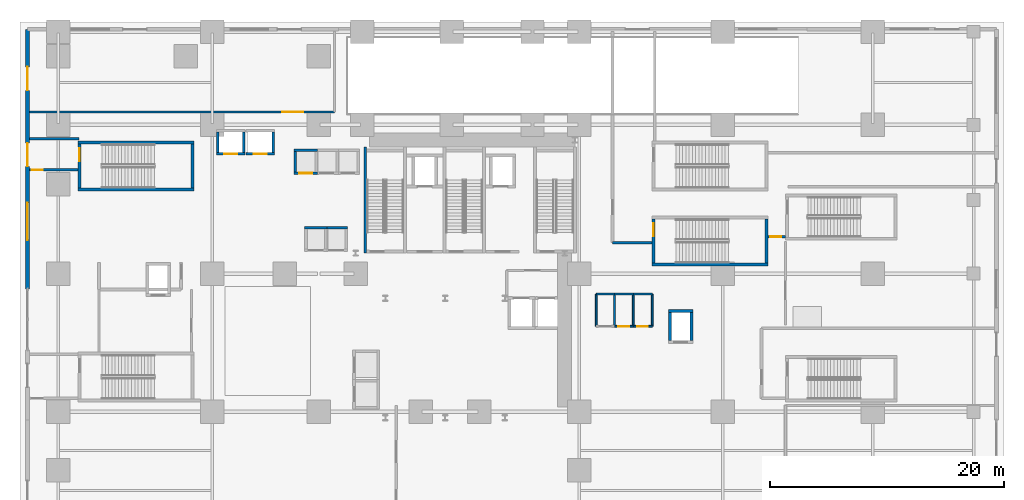
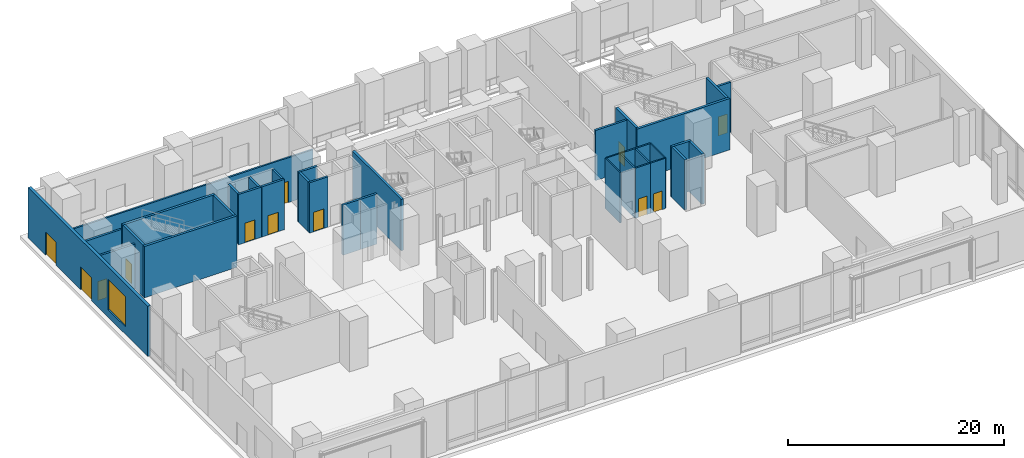
# One storey, part 15 of 25: 36 walls, 12 doors, 1 window, 13 openings.
"""IFC4 building model written with IfcOpenShell, lengths in metres."""

import ifcopenshell
import ifcopenshell.guid

model = None  # the IFC model being written
_history = None  # IfcOwnerHistory: only IFC2X3 demands one
_inside = {}  # id of a spatial element -> (the spatial element, [elements in it])
_under = {}  # id of a project, library or spatial element -> (it, [spatial elements below it])
_declared = {}  # id of a project -> (the project, [libraries it declares])
_typed = {}  # id of a type object -> (the type object, [elements of that type])
_made_of = {}  # id of a material, layer set ... -> (it, [elements and type objects made of it])


def new_model(schema):
    """Start an empty IFC model of exactly this schema.

    Asked for "IFC4X3", IfcOpenShell would pick the latest addendum, in which some entities
    have other attributes; the version numbers below select the first issue.
    IFC2X3 requires an IfcOwnerHistory on every rooted entity: one is made here for all.
    """
    global model, _history
    if schema == "IFC4X3":
        model = ifcopenshell.file(schema_version=(4, 3, 0, 0))
    else:
        model = ifcopenshell.file(schema=schema)
    _inside.clear()
    _under.clear()
    _declared.clear()
    _typed.clear()
    _made_of.clear()
    _history = None
    if model.schema == "IFC2X3":
        org = make("IfcOrganization", Name="unknown")
        user = make(
            "IfcPersonAndOrganization",
            ThePerson=make("IfcPerson", FamilyName="unknown"),
            TheOrganization=org,
        )
        app = make(
            "IfcApplication",
            ApplicationDeveloper=org,
            Version="unknown",
            ApplicationFullName="unknown",
            ApplicationIdentifier="unknown",
        )
        _history = make(
            "IfcOwnerHistory",
            OwningUser=user,
            OwningApplication=app,
            ChangeAction="ADDED",
            CreationDate=0,
        )
    return model


def make(cls, **values):
    """One entity of the class cls with the attributes given. An attribute that is None is left unset."""
    return model.create_entity(
        cls, **{name: value for name, value in values.items() if value is not None}
    )


def rooted(cls, **values):
    """An entity with a GlobalId (a new one), such as an element, a storey or a relation."""
    return make(cls, GlobalId=ifcopenshell.guid.new(), OwnerHistory=_history, **values)


def si_unit(unit_type, name, prefix=None):
    """IfcSIUnit, for example si_unit("LENGTHUNIT", "METRE", prefix="MILLI")."""
    return make("IfcSIUnit", UnitType=unit_type, Prefix=prefix, Name=name)


def assignment(units):
    """IfcUnitAssignment: the units of a project."""
    return None if units is None else make("IfcUnitAssignment", Units=units)


def point(xyz):
    """IfcCartesianPoint."""
    return None if xyz is None else make("IfcCartesianPoint", Coordinates=xyz)


def direction(xyz):
    """IfcDirection."""
    return None if xyz is None else make("IfcDirection", DirectionRatios=xyz)


def frame(location, z_axis=None, x_axis=None):
    """IfcAxis2Placement3D, a coordinate frame: its origin and axes. An axis left out is left unset."""
    return make(
        "IfcAxis2Placement3D",
        Location=point(location),
        Axis=direction(z_axis),
        RefDirection=direction(x_axis),
    )


def frame_2d(location, x_axis=None):
    """IfcAxis2Placement2D, a coordinate frame in the plane: its origin and x axis."""
    return make(
        "IfcAxis2Placement2D", Location=point(location), RefDirection=direction(x_axis)
    )


def origin():
    """The frame at (0, 0, 0) with its axes left unset."""
    return frame((0.0, 0.0, 0.0))


def place(relative_to, where):
    """IfcLocalPlacement: puts the frame where relative to a parent placement (None: the world)."""
    return make(
        "IfcLocalPlacement", PlacementRelTo=relative_to, RelativePlacement=where
    )


def context(
    kind, dimensions, precision=None, world=None, true_north=None, identifier=None
):
    """IfcGeometricRepresentationContext, for example the 3D "Model" context."""
    return make(
        "IfcGeometricRepresentationContext",
        ContextIdentifier=identifier,
        ContextType=kind,
        CoordinateSpaceDimension=dimensions,
        Precision=precision,
        WorldCoordinateSystem=world,
        TrueNorth=true_north,
    )


def subcontext(parent, identifier, kind, view, scale=None):
    """IfcGeometricRepresentationSubContext, for example "Body" below "Model"."""
    return make(
        "IfcGeometricRepresentationSubContext",
        ContextIdentifier=identifier,
        ContextType=kind,
        ParentContext=parent,
        TargetScale=scale,
        TargetView=view,
    )


def project(units=None, contexts=None):
    """IfcProject with its units and contexts."""
    return rooted(
        "IfcProject",
        Name="project",
        RepresentationContexts=contexts,
        UnitsInContext=assignment(units),
    )


def spatial(cls, under=None, at=None, **own):
    """A site, building, storey or space (cls), placed at a placement, below another one or the project."""
    s = rooted(cls, ObjectPlacement=at, **own)
    if under is not None:
        _under.setdefault(under.id(), (under, []))[1].append(s)
    return s


def profile(cls, at=None, kind="AREA", **sizes):
    """A parametric profile (cls). Its sizes go by their IFC names, for example OverallWidth=200.0."""
    return make(cls, ProfileType=kind, Position=at, **sizes)


def rectangle(**sizes):
    """IfcRectangleProfileDef."""
    return profile("IfcRectangleProfileDef", **sizes)


def extrude(swept, where, along, depth):
    """IfcExtrudedAreaSolid: the profile swept, set in the frame where, extruded along a direction by depth."""
    return make(
        "IfcExtrudedAreaSolid",
        SweptArea=swept,
        Position=where,
        ExtrudedDirection=direction(along),
        Depth=depth,
    )


def shape(context_of_items, identifier, shape_type, items):
    """IfcShapeRepresentation: the items that make up one representation, for example the "Body"."""
    return make(
        "IfcShapeRepresentation",
        ContextOfItems=context_of_items,
        RepresentationIdentifier=identifier,
        RepresentationType=shape_type,
        Items=items,
    )


def source(mapping_origin, context_of_items, identifier, shape_type, items):
    """IfcRepresentationMap: a shape defined once, which mapped items show again and again."""
    return make(
        "IfcRepresentationMap",
        MappingOrigin=mapping_origin,
        MappedRepresentation=shape(context_of_items, identifier, shape_type, items),
    )


def transform(
    local_origin,
    x_axis=None,
    y_axis=None,
    z_axis=None,
    scale=None,
    scale2=None,
    scale3=None,
    uniform=True,
):
    """IfcCartesianTransformationOperator3D, or its non-uniform kind. x_axis, y_axis, z_axis: its Axis1, 2, 3."""
    if uniform:
        return make(
            "IfcCartesianTransformationOperator3D",
            Axis1=direction(x_axis),
            Axis2=direction(y_axis),
            LocalOrigin=point(local_origin),
            Scale=scale,
            Axis3=direction(z_axis),
        )
    return make(
        "IfcCartesianTransformationOperator3DnonUniform",
        Axis1=direction(x_axis),
        Axis2=direction(y_axis),
        LocalOrigin=point(local_origin),
        Scale=scale,
        Axis3=direction(z_axis),
        Scale2=scale2,
        Scale3=scale3,
    )


def mapped(mapping_source, mapping_target):
    """IfcMappedItem: shows the shape of a source again, moved by a transform."""
    return make(
        "IfcMappedItem", MappingSource=mapping_source, MappingTarget=mapping_target
    )


def material(Name=None, Category=None):
    """IfcMaterial."""
    return make("IfcMaterial", Name=Name, Category=Category)


def layer(
    of_material, thickness, ventilated=None, Name=None, Category=None, Priority=None
):
    """IfcMaterialLayer: one layer of a wall or slab, of a material (None: an air gap)."""
    return make(
        "IfcMaterialLayer",
        Material=of_material,
        LayerThickness=thickness,
        IsVentilated=ventilated,
        Name=Name,
        Category=Category,
        Priority=Priority,
    )


def layer_set(layers, Name=None):
    """IfcMaterialLayerSet."""
    return make("IfcMaterialLayerSet", MaterialLayers=layers, LayerSetName=Name)


def made_of(thing, what):
    """Note that an element or type object is made of a material, layer set ...; save() writes the relation."""
    if what is not None:
        _made_of.setdefault(what.id(), (what, []))[1].append(thing)
    return thing


def type_object(cls, material=None, **own):
    """A type object (cls), such as IfcWallType, which elements share."""
    return made_of(rooted(cls, **own), material)


def element(
    cls,
    number,
    at=None,
    inside=None,
    cuts=None,
    type_object=None,
    material=None,
    context=None,
    identifier="Body",
    shape_type=None,
    held_by="IfcProductDefinitionShape",
    body=None,
    shapes=None,
    **own,
):
    """One element of the class cls, such as IfcWall. Its Tag is "e" and its number.

    at: its placement. inside: the storey or other place that contains it. cuts: it is an
    opening in that element (IfcRelVoidsElement). A single representation is given by context,
    identifier, shape_type and body (its items); several are given by shapes. held_by: the class
    of the entity that holds the representations. save() writes the other relations.
    """
    e = rooted(cls, Tag="e%d" % number, ObjectPlacement=at, **own)
    if body is not None:
        shapes = [shape(context, identifier, shape_type, body)]
    if shapes is not None:
        e.Representation = make(held_by, Representations=shapes)
    if inside is not None:
        _inside.setdefault(inside.id(), (inside, []))[1].append(e)
    if cuts is not None:
        rooted(
            "IfcRelVoidsElement", RelatingBuildingElement=cuts, RelatedOpeningElement=e
        )
    if type_object is not None:
        _typed.setdefault(type_object.id(), (type_object, []))[1].append(e)
    return made_of(e, material)


def fill(opening, filler):
    """IfcRelFillsElement: the door or window that sits in an opening."""
    return rooted(
        "IfcRelFillsElement",
        RelatingOpeningElement=opening,
        RelatedBuildingElement=filler,
    )


def aggregate(whole, parts):
    """IfcRelAggregates: a whole, such as a stair, and the parts it consists of."""
    return rooted("IfcRelAggregates", RelatingObject=whole, RelatedObjects=parts)


def save(model, path):
    """Write the relations noted so far, then the file.

    IfcRelAggregates (storeys below a building ...), IfcRelContainedInSpatialStructure (elements
    in a storey), IfcRelDefinesByType, IfcRelAssociatesMaterial and IfcRelDeclares: one each for
    every whole, place, type object, material and project.
    """
    for whole, parts in _under.values():
        aggregate(whole, parts)
    for where, things in _inside.values():
        rooted(
            "IfcRelContainedInSpatialStructure",
            RelatedElements=things,
            RelatingStructure=where,
        )
    for kind, things in _typed.values():
        rooted("IfcRelDefinesByType", RelatedObjects=things, RelatingType=kind)
    for what, things in _made_of.values():
        rooted("IfcRelAssociatesMaterial", RelatedObjects=things, RelatingMaterial=what)
    for by, libraries in _declared.values():
        rooted("IfcRelDeclares", RelatingContext=by, RelatedDefinitions=libraries)
    model.write(path)


model = new_model("IFC4")

# Units and contexts
model_context = context("Model", 3, precision=1e-05, world=origin(), true_north=direction((0.0, 1.0)))
body_context = subcontext(model_context, "Body", "Model", "MODEL_VIEW")
ifc_project = project(units=[si_unit("LENGTHUNIT", "METRE"), si_unit("AREAUNIT", "SQUARE_METRE"), si_unit("VOLUMEUNIT", "CUBIC_METRE"), si_unit("PLANEANGLEUNIT", "RADIAN"), si_unit("MASSUNIT", "GRAM", prefix="KILO")], contexts=[model_context])

# Site, building, storey
site_placement = place(None, origin())
site = spatial("IfcSite", under=ifc_project, at=site_placement, CompositionType="ELEMENT")
building_placement = place(site_placement, origin())
building = spatial("IfcBuilding", under=site, at=building_placement, Name="Vardaveli Station Tower", CompositionType="ELEMENT")
storey_placement = place(building_placement, origin())
storey = spatial("IfcBuildingStorey", under=building, at=storey_placement, Name="L01", CompositionType="ELEMENT", Elevation=0.0)

# Wall, openings, doors, window
ifc_material_1 = material(Name="Precast concrete C45/55", Category="concrete")
ifc_layer_1 = layer(ifc_material_1, 0.320068359375, Name="Precast concrete C45/55")
ifc_layer_set_1 = layer_set([ifc_layer_1], Name="Precast concrete C45/55")
wall_type_1 = type_object("IfcWallType", Name="WAL-EXT-STONE-320", PredefinedType="SOLIDWALL", material=ifc_layer_set_1)
shared_shape_1 = source(origin(), body_context, "Body", "SweptSolid", [
    extrude(rectangle(XDim=22.14990234375, YDim=0.320068359375, at=frame_2d((11.074951171875, 0.0))), origin(), (0.0, 0.0, 1.0), 5.679931640625),
])
wall_1_placement = place(storey_placement, frame((0.64990234375, 49.75, 0.0), z_axis=(0.0, 0.0, 1.0), x_axis=(0.0, -1.0, 0.0)))
wall_1 = element("IfcWall", 1, at=wall_1_placement, inside=storey, type_object=wall_type_1, Name="EW-L01-W4", PredefinedType="SOLIDWALL", context=body_context, shape_type="MappedRepresentation", body=[
    mapped(shared_shape_1, transform((0.0, 0.0, 0.0), scale=1.0)),
])
shared_shape_2 = source(origin(), body_context, "Body", "SweptSolid", [
    extrude(rectangle(XDim=2.0, YDim=2.60009765625, at=frame_2d((1.0, 1.300048828125))), frame((0.0, 0.169921875, 0.0), z_axis=(0.0, -1.0, 0.0), x_axis=(1.0, 0.0, 0.0)), (0.0, 0.0, 1.0), 0.340087890625),
])
opening_1_placement = place(wall_1_placement, frame((3.199951171875, 0.0, 0.0)))
opening_1 = element("IfcOpeningElement", 2, at=opening_1_placement, cuts=wall_1, Name="Opening EX-08", PredefinedType="OPENING", context=body_context, shape_type="MappedRepresentation", body=[
    mapped(shared_shape_2, transform((0.0, 0.0, 0.0), scale=1.0)),
])
opening_2_placement = place(wall_1_placement, frame((9.699951171875, 0.0, 0.0)))
opening_2 = element("IfcOpeningElement", 3, at=opening_2_placement, cuts=wall_1, Name="Opening EX-12", PredefinedType="OPENING", context=body_context, shape_type="MappedRepresentation", body=[
    mapped(shared_shape_2, transform((0.0, 0.0, 0.0), scale=1.0)),
])
shared_shape_3 = source(origin(), body_context, "Body", "SweptSolid", [
    extrude(rectangle(XDim=3.199951171875, YDim=3.39990234375, at=frame_2d((1.60009765625, 1.699951171875))), frame((0.0, 0.169921875, 0.0), z_axis=(0.0, -1.0, 0.0), x_axis=(1.0, 0.0, 0.0)), (0.0, 0.0, 1.0), 0.340087890625),
])
opening_3_placement = place(wall_1_placement, frame((14.800048828125, 0.0, 0.85009765625)))
opening_3 = element("IfcOpeningElement", 4, at=opening_3_placement, cuts=wall_1, Name="Opening W-01", PredefinedType="OPENING", context=body_context, shape_type="MappedRepresentation", body=[
    mapped(shared_shape_3, transform((0.0, 0.0, 0.0), scale=1.0)),
])
ifc_material_2 = material(Name="Brushed stainless steel and glass", Category="steel")
door_type_1 = type_object("IfcDoorType", Name="DR-EX-2000x2600", OperationType="DOUBLE_DOOR_SINGLE_SWING", PredefinedType="DOOR", material=ifc_material_2)
shared_shape_4 = source(origin(), body_context, "Body", "SweptSolid", [
    extrude(rectangle(XDim=2.0, YDim=2.60009765625, at=frame_2d((1.0, 1.300048828125))), frame((0.0, 0.02490234375, 0.0), z_axis=(0.0, -1.0, 0.0), x_axis=(1.0, 0.0, 0.0)), (0.0, 0.0, 1.0), 0.050048828125),
])
door_1_placement = place(opening_1_placement, frame((2.0, 0.0, 0.0), z_axis=(0.0, 0.0, 1.0), x_axis=(-1.0, 0.0, 0.0)))
door_1 = element("IfcDoor", 5, at=door_1_placement, inside=storey, type_object=door_type_1, Name="EX-08", OperationType="DOUBLE_DOOR_SINGLE_SWING", OverallHeight=2.60009765625, OverallWidth=2.0, PredefinedType="DOOR", context=body_context, shape_type="MappedRepresentation", body=[
    mapped(shared_shape_4, transform((0.0, 0.0, 0.0), scale=1.0)),
])
fill(opening_1, door_1)
door_2_placement = place(opening_2_placement, frame((2.0, 0.0, 0.0), z_axis=(0.0, 0.0, 1.0), x_axis=(-1.0, 0.0, 0.0)))
door_2 = element("IfcDoor", 6, at=door_2_placement, inside=storey, type_object=door_type_1, Name="EX-12", OperationType="DOUBLE_DOOR_SINGLE_SWING", OverallHeight=2.60009765625, OverallWidth=2.0, PredefinedType="DOOR", context=body_context, shape_type="MappedRepresentation", body=[
    mapped(shared_shape_4, transform((0.0, 0.0, 0.0), scale=1.0)),
])
fill(opening_2, door_2)
ifc_material_3 = material(Name="Low-E acoustic laminated glass", Category="glass")
window_type = type_object("IfcWindowType", Name="WIN-CONC-3200x3400", PartitioningType="SINGLE_PANEL", PredefinedType="WINDOW", material=ifc_material_3)
shared_shape_5 = source(origin(), body_context, "Body", "SweptSolid", [
    extrude(rectangle(XDim=3.199951171875, YDim=3.39990234375, at=frame_2d((1.60009765625, 1.699951171875))), frame((0.0, 0.030029296875, 0.0), z_axis=(0.0, -1.0, 0.0), x_axis=(1.0, 0.0, 0.0)), (0.0, 0.0, 1.0), 0.06005859375),
])
window_placement = place(opening_3_placement, origin())
window = element("IfcWindow", 7, at=window_placement, inside=storey, type_object=window_type, Name="WN-L01-W4", OverallHeight=3.39990234375, OverallWidth=3.199951171875, PartitioningType="SINGLE_PANEL", PredefinedType="WINDOW", context=body_context, shape_type="MappedRepresentation", body=[
    mapped(shared_shape_5, transform((0.0, 0.0, 0.0), scale=1.0)),
])
fill(opening_3, window)

# Walls
ifc_material_4 = material(Name="Concrete C40/50", Category="concrete")
ifc_layer_2 = layer(ifc_material_4, 0.25, Name="Concrete C40/50")
ifc_layer_set_2 = layer_set([ifc_layer_2], Name="Concrete C40/50")
wall_type_2 = type_object("IfcWallType", Name="WAL-SHAFT-250", PredefinedType="SOLIDWALL", material=ifc_layer_set_2)
shared_shape_6 = source(origin(), body_context, "Body", "SweptSolid", [
    extrude(rectangle(XDim=9.050048828125, YDim=0.25, at=frame_2d((4.52490234375, 0.0))), origin(), (0.0, 0.0, 1.0), 5.800048828125),
])
wall_2_placement = place(storey_placement, frame((29.47509765625, 30.64990234375, 0.0), z_axis=(0.0, 0.0, 1.0), x_axis=(0.0, 1.0, 0.0)))
element("IfcWall", 8, at=wall_2_placement, inside=storey, type_object=wall_type_2, Name="W-L01-ST-1W", PredefinedType="SOLIDWALL", context=body_context, shape_type="MappedRepresentation", body=[
    mapped(shared_shape_6, transform((0.0, 0.0, 0.0), scale=1.0)),
])
shared_shape_7 = source(origin(), body_context, "Body", "SweptSolid", [
    extrude(rectangle(XDim=9.900146484375, YDim=0.25, at=frame_2d((4.9501953125, 0.0))), origin(), (0.0, 0.0, 1.0), 5.800048828125),
])
for number, where, z_axis, x_axis, name in (
    (9, (53.949951171875, 29.675048828125, 0.0), (0.0, 0.0, 1.0), (1.0, 0.0, 0.0), "W-L01-ST-S2S"),
    (10, (4.949951171875, 36.074951171875, 0.0), (0.0, 0.0, 1.0), (1.0, 0.0, 0.0), "W-L01-ST-P1S"),
    (11, (4.949951171875, 40.074951171875, 0.0), (0.0, 0.0, 1.0), (1.0, 0.0, 0.0), "W-L01-ST-P1N"),
):
    element("IfcWall", number, at=place(storey_placement, frame(where, z_axis=z_axis, x_axis=x_axis)), inside=storey, type_object=wall_type_2, Name=name, PredefinedType="SOLIDWALL", context=body_context, shape_type="MappedRepresentation", body=[
        mapped(shared_shape_7, transform((0.0, 0.0, 0.0), scale=1.0)),
    ])
shared_shape_8 = source(origin(), body_context, "Body", "SweptSolid", [
    extrude(rectangle(XDim=3.75, YDim=0.25, at=frame_2d((1.875, 0.0))), origin(), (0.0, 0.0, 1.0), 5.800048828125),
])
wall_3_placement = place(storey_placement, frame((63.72509765625, 29.800048828125, 0.0), z_axis=(0.0, 0.0, 1.0), x_axis=(0.0, 1.0, 0.0)))
element("IfcWall", 12, at=wall_3_placement, inside=storey, type_object=wall_type_2, Name="W-L01-ST-S2E", PredefinedType="SOLIDWALL", context=body_context, shape_type="MappedRepresentation", body=[
    mapped(shared_shape_8, transform((0.0, 0.0, 0.0), scale=1.0)),
])

# Wall, opening, door
wall_4_placement = place(storey_placement, frame((54.074951171875, 29.800048828125, 0.0), z_axis=(0.0, 0.0, 1.0), x_axis=(0.0, 1.0, 0.0)))
wall_4 = element("IfcWall", 13, at=wall_4_placement, inside=storey, type_object=wall_type_2, Name="W-L01-ST-S2W", PredefinedType="SOLIDWALL", context=body_context, shape_type="MappedRepresentation", body=[
    mapped(shared_shape_8, transform((0.0, 0.0, 0.0), scale=1.0)),
])
shared_shape_9 = source(origin(), body_context, "Body", "SweptSolid", [
    extrude(rectangle(XDim=1.10009765625, YDim=2.199951171875, at=frame_2d((0.550048828125, 1.10009765625))), frame((0.0, 0.135009765625, 0.0), z_axis=(0.0, -1.0, 0.0), x_axis=(1.0, 0.0, 0.0)), (0.0, 0.0, 1.0), 0.27001953125),
])
opening_4_placement = place(wall_4_placement, frame((2.300048828125, 0.0, 0.0)))
opening_4 = element("IfcOpeningElement", 14, at=opening_4_placement, cuts=wall_4, Name="Opening D-04", PredefinedType="OPENING", context=body_context, shape_type="MappedRepresentation", body=[
    mapped(shared_shape_9, transform((0.0, 0.0, 0.0), scale=1.0)),
])
ifc_material_5 = material(Name="Steel smokeproof fire doorset", Category="steel")
door_type_2 = type_object("IfcDoorType", Name="DR-ST-1100x2200", OperationType="NOTDEFINED", PredefinedType="DOOR", material=ifc_material_5)
shared_shape_10 = source(origin(), body_context, "Body", "SweptSolid", [
    extrude(rectangle(XDim=1.10009765625, YDim=2.199951171875, at=frame_2d((0.550048828125, 1.10009765625))), frame((0.0, 0.02490234375, 0.0), z_axis=(0.0, -1.0, 0.0), x_axis=(1.0, 0.0, 0.0)), (0.0, 0.0, 1.0), 0.050048828125),
])
door_3_placement = place(opening_4_placement, origin())
door_3 = element("IfcDoor", 15, at=door_3_placement, inside=storey, type_object=door_type_2, Name="DST-S2-L01", OperationType="SINGLE_SWING_RIGHT", OverallHeight=2.199951171875, OverallWidth=1.10009765625, PredefinedType="DOOR", context=body_context, shape_type="MappedRepresentation", body=[
    mapped(shared_shape_10, transform((0.0, 0.0, 0.0), scale=1.0)),
])
fill(opening_4, door_3)

# Wall
wall_5_placement = place(storey_placement, frame((14.72509765625, 36.199951171875, 0.0), z_axis=(0.0, 0.0, 1.0), x_axis=(0.0, 1.0, 0.0)))
element("IfcWall", 16, at=wall_5_placement, inside=storey, type_object=wall_type_2, Name="W-L01-ST-P1E", PredefinedType="SOLIDWALL", context=body_context, shape_type="MappedRepresentation", body=[
    mapped(shared_shape_8, transform((0.0, 0.0, 0.0), scale=1.0)),
])

# Wall, opening, door
wall_6_placement = place(storey_placement, frame((5.074951171875, 36.199951171875, 0.0), z_axis=(0.0, 0.0, 1.0), x_axis=(0.0, 1.0, 0.0)))
wall_6 = element("IfcWall", 17, at=wall_6_placement, inside=storey, type_object=wall_type_2, Name="W-L01-ST-P1W", PredefinedType="SOLIDWALL", context=body_context, shape_type="MappedRepresentation", body=[
    mapped(shared_shape_8, transform((0.0, 0.0, 0.0), scale=1.0)),
])
opening_5_placement = place(wall_6_placement, frame((2.300048828125, 0.0, 0.0)))
opening_5 = element("IfcOpeningElement", 18, at=opening_5_placement, cuts=wall_6, Name="Opening D-04", PredefinedType="OPENING", context=body_context, shape_type="MappedRepresentation", body=[
    mapped(shared_shape_9, transform((0.0, 0.0, 0.0), scale=1.0)),
])
door_4_placement = place(opening_5_placement, origin())
door_4 = element("IfcDoor", 19, at=door_4_placement, inside=storey, type_object=door_type_2, Name="DST-P1-L01", OperationType="SINGLE_SWING_RIGHT", OverallHeight=2.199951171875, OverallWidth=1.10009765625, PredefinedType="DOOR", context=body_context, shape_type="MappedRepresentation", body=[
    mapped(shared_shape_10, transform((0.0, 0.0, 0.0), scale=1.0)),
])
fill(opening_5, door_4)

# Walls
shared_shape_11 = source(origin(), body_context, "Body", "SweptSolid", [
    extrude(rectangle(XDim=2.400146484375, YDim=0.25, at=frame_2d((1.2001953125, 0.0))), origin(), (0.0, 0.0, 1.0), 5.679931640625),
])
for number, where, z_axis, x_axis, name in (
    (20, (55.47509765625, 23.199951171875, 0.0), (0.0, 0.0, 1.0), (0.0, 1.0, 0.0), "SHW-STN-02-L01-W"),
    (21, (57.324951171875, 23.199951171875, 0.0), (0.0, 0.0, 1.0), (0.0, 1.0, 0.0), "SHW-STN-02-L01-E"),
):
    element("IfcWall", number, at=place(storey_placement, frame(where, z_axis=z_axis, x_axis=x_axis)), inside=storey, type_object=wall_type_2, Name=name, PredefinedType="SOLIDWALL", context=body_context, shape_type="MappedRepresentation", body=[
        mapped(shared_shape_11, transform((0.0, 0.0, 0.0), scale=1.0)),
    ])
shared_shape_12 = source(origin(), body_context, "Body", "SweptSolid", [
    extrude(rectangle(XDim=2.099853515625, YDim=0.25, at=frame_2d((1.0498046875, 0.0))), origin(), (0.0, 0.0, 1.0), 5.679931640625),
])
wall_7_placement = place(storey_placement, frame((55.35009765625, 25.72509765625, 0.0), z_axis=(0.0, 0.0, 1.0), x_axis=(1.0, 0.0, 0.0)))
element("IfcWall", 22, at=wall_7_placement, inside=storey, type_object=wall_type_2, Name="SHW-STN-02-L01-N", PredefinedType="SOLIDWALL", context=body_context, shape_type="MappedRepresentation", body=[
    mapped(shared_shape_12, transform((0.0, 0.0, 0.0), scale=1.0)),
])

# Wall, opening, door
ifc_layer_3 = layer(ifc_material_4, 0.219970703125, Name="Concrete C40/50")
ifc_layer_set_3 = layer_set([ifc_layer_3], Name="Concrete C40/50")
wall_type_3 = type_object("IfcWallType", Name="WAL-FFLOBBY-220", PredefinedType="SOLIDWALL", material=ifc_layer_set_3)
shared_shape_13 = source(origin(), body_context, "Body", "SweptSolid", [
    extrude(rectangle(XDim=2.43994140625, YDim=0.219970703125, at=frame_2d((1.219970703125, 0.0))), origin(), (0.0, 0.0, 1.0), 5.679931640625),
])
wall_8_placement = place(storey_placement, frame((16.780029296875, 39.114990234375, 0.0), z_axis=(0.0, 0.0, 1.0), x_axis=(1.0, 0.0, 0.0)))
wall_8 = element("IfcWall", 23, at=wall_8_placement, inside=storey, type_object=wall_type_3, Name="SHW-POD-01-L01-S", PredefinedType="SOLIDWALL", context=body_context, shape_type="MappedRepresentation", body=[
    mapped(shared_shape_13, transform((0.0, 0.0, 0.0), scale=1.0)),
])
shared_shape_14 = source(origin(), body_context, "Body", "SweptSolid", [
    extrude(rectangle(XDim=1.10009765625, YDim=2.199951171875, at=frame_2d((0.550048828125, 1.10009765625))), frame((0.0, 0.1201171875, 0.0), z_axis=(0.0, -1.0, 0.0), x_axis=(1.0, 0.0, 0.0)), (0.0, 0.0, 1.0), 0.239990234375),
])
opening_6_placement = place(wall_8_placement, frame((0.669921875, 0.0, 0.0)))
opening_6 = element("IfcOpeningElement", 24, at=opening_6_placement, cuts=wall_8, Name="Opening LD-01", PredefinedType="OPENING", context=body_context, shape_type="MappedRepresentation", body=[
    mapped(shared_shape_14, transform((0.0, 0.0, 0.0), scale=1.0)),
])
ifc_material_6 = material(Name="Brushed stainless steel", Category="steel")
door_type_3 = type_object("IfcDoorType", Name="DR-LD-1100x2200", OperationType="DOUBLE_DOOR_SLIDING", PredefinedType="DOOR", material=ifc_material_6)
door_5_placement = place(opening_6_placement, origin())
door_5 = element("IfcDoor", 25, at=door_5_placement, inside=storey, type_object=door_type_3, Name="LD-POD-01-L01", OperationType="DOUBLE_DOOR_SLIDING", OverallHeight=2.199951171875, OverallWidth=1.10009765625, PredefinedType="DOOR", context=body_context, shape_type="MappedRepresentation", body=[
    mapped(shared_shape_10, transform((0.0, 0.0, 0.0), scale=1.0)),
])
fill(opening_6, door_5)

wall_9_placement = place(storey_placement, frame((19.280029296875, 39.114990234375, 0.0), z_axis=(0.0, 0.0, 1.0), x_axis=(1.0, 0.0, 0.0)))
wall_9 = element("IfcWall", 26, at=wall_9_placement, inside=storey, type_object=wall_type_3, Name="SHW-POD-02-L01-S", PredefinedType="SOLIDWALL", context=body_context, shape_type="MappedRepresentation", body=[
    mapped(shared_shape_13, transform((0.0, 0.0, 0.0), scale=1.0)),
])
opening_7_placement = place(wall_9_placement, frame((0.669921875, 0.0, 0.0)))
opening_7 = element("IfcOpeningElement", 27, at=opening_7_placement, cuts=wall_9, Name="Opening LD-01", PredefinedType="OPENING", context=body_context, shape_type="MappedRepresentation", body=[
    mapped(shared_shape_14, transform((0.0, 0.0, 0.0), scale=1.0)),
])
door_6_placement = place(opening_7_placement, origin())
door_6 = element("IfcDoor", 28, at=door_6_placement, inside=storey, type_object=door_type_3, Name="LD-POD-02-L01", OperationType="DOUBLE_DOOR_SLIDING", OverallHeight=2.199951171875, OverallWidth=1.10009765625, PredefinedType="DOOR", context=body_context, shape_type="MappedRepresentation", body=[
    mapped(shared_shape_10, transform((0.0, 0.0, 0.0), scale=1.0)),
])
fill(opening_7, door_6)

# Walls
shared_shape_15 = source(origin(), body_context, "Body", "SweptSolid", [
    extrude(rectangle(XDim=1.75, YDim=0.219970703125, at=frame_2d((0.875, 0.0))), origin(), (0.0, 0.0, 1.0), 5.679931640625),
])
for number, where, z_axis, x_axis, name in (
    (29, (16.889892578125, 39.22509765625, 0.0), (0.0, 0.0, 1.0), (0.0, 1.0, 0.0), "SHW-POD-01-L01-W"),
    (30, (19.110107421875, 39.22509765625, 0.0), (0.0, 0.0, 1.0), (0.0, 1.0, 0.0), "SHW-POD-01-L01-E"),
    (31, (21.610107421875, 39.22509765625, 0.0), (0.0, 0.0, 1.0), (0.0, 1.0, 0.0), "SHW-POD-02-L01-E"),
    (32, (23.514892578125, 37.574951171875, 0.0), (0.0, 0.0, 1.0), (0.0, 1.0, 0.0), "SHW-HL1-01-L01-W"),
):
    element("IfcWall", number, at=place(storey_placement, frame(where, z_axis=z_axis, x_axis=x_axis)), inside=storey, type_object=wall_type_3, Name=name, PredefinedType="SOLIDWALL", context=body_context, shape_type="MappedRepresentation", body=[
        mapped(shared_shape_15, transform((0.0, 0.0, 0.0), scale=1.0)),
    ])

# Wall, opening, door
shared_shape_16 = source(origin(), body_context, "Body", "SweptSolid", [
    extrude(rectangle(XDim=1.989990234375, YDim=0.219970703125, at=frame_2d((0.9951171875, 0.0))), origin(), (0.0, 0.0, 1.0), 5.679931640625),
])
wall_10_placement = place(storey_placement, frame((23.405029296875, 37.465087890625, 0.0), z_axis=(0.0, 0.0, 1.0), x_axis=(1.0, 0.0, 0.0)))
wall_10 = element("IfcWall", 33, at=wall_10_placement, inside=storey, type_object=wall_type_3, Name="SHW-HL1-01-L01-S", PredefinedType="SOLIDWALL", context=body_context, shape_type="MappedRepresentation", body=[
    mapped(shared_shape_16, transform((0.0, 0.0, 0.0), scale=1.0)),
])
opening_8_placement = place(wall_10_placement, frame((0.445068359375, 0.0, 0.0)))
opening_8 = element("IfcOpeningElement", 34, at=opening_8_placement, cuts=wall_10, Name="Opening LD-01", PredefinedType="OPENING", context=body_context, shape_type="MappedRepresentation", body=[
    mapped(shared_shape_14, transform((0.0, 0.0, 0.0), scale=1.0)),
])
door_7_placement = place(opening_8_placement, origin())
door_7 = element("IfcDoor", 35, at=door_7_placement, inside=storey, type_object=door_type_3, Name="LD-HL1-01-L01", OperationType="DOUBLE_DOOR_SLIDING", OverallHeight=2.199951171875, OverallWidth=1.10009765625, PredefinedType="DOOR", context=body_context, shape_type="MappedRepresentation", body=[
    mapped(shared_shape_10, transform((0.0, 0.0, 0.0), scale=1.0)),
])
fill(opening_8, door_7)

# Walls
wall_11_placement = place(storey_placement, frame((23.405029296875, 39.43505859375, 0.0), z_axis=(0.0, 0.0, 1.0), x_axis=(1.0, 0.0, 0.0)))
element("IfcWall", 36, at=wall_11_placement, inside=storey, type_object=wall_type_3, Name="SHW-HL1-01-L01-N", PredefinedType="SOLIDWALL", context=body_context, shape_type="MappedRepresentation", body=[
    mapped(shared_shape_16, transform((0.0, 0.0, 0.0), scale=1.0)),
])
shared_shape_17 = source(origin(), body_context, "Body", "SweptSolid", [
    extrude(rectangle(XDim=1.89013671875, YDim=0.219970703125, at=frame_2d((0.945068359375, 0.0))), origin(), (0.0, 0.0, 1.0), 5.679931640625),
])
for number, where, z_axis, x_axis, name in (
    (37, (24.304931640625, 32.81005859375, 0.0), (0.0, 0.0, 1.0), (1.0, 0.0, 0.0), "SHW-SHU-01-L01-N"),
    (38, (26.054931640625, 32.81005859375, 0.0), (0.0, 0.0, 1.0), (1.0, 0.0, 0.0), "SHW-SHU-02-L01-N"),
):
    element("IfcWall", number, at=place(storey_placement, frame(where, z_axis=z_axis, x_axis=x_axis)), inside=storey, type_object=wall_type_3, Name=name, PredefinedType="SOLIDWALL", context=body_context, shape_type="MappedRepresentation", body=[
        mapped(shared_shape_17, transform((0.0, 0.0, 0.0), scale=1.0)),
    ])

# Wall, opening, door
ifc_material_7 = material(Name="Fire-rated gypsum stud partition")
ifc_layer_4 = layer(ifc_material_7, 0.179931640625, Name="Fire-rated gypsum stud partition")
ifc_layer_set_4 = layer_set([ifc_layer_4], Name="Fire-rated gypsum stud partition")
wall_type_4 = type_object("IfcWallType", Name="WAL-CORR-180", PredefinedType="PARTITIONING", material=ifc_layer_set_4)
shared_shape_18 = source(origin(), body_context, "Body", "SweptSolid", [
    extrude(rectangle(XDim=26.0380859375, YDim=0.179931640625, at=frame_2d((13.01904296875, 0.0))), origin(), (0.0, 0.0, 1.0), 5.072021484375),
])
wall_12_placement = place(storey_placement, frame((0.81201171875, 42.699951171875, 0.0), z_axis=(0.0, 0.0, 1.0), x_axis=(1.0, 0.0, 0.0)))
wall_12 = element("IfcWall", 39, at=wall_12_placement, inside=storey, type_object=wall_type_4, Name="W-L01-RET1-S", PredefinedType="PARTITIONING", context=body_context, shape_type="MappedRepresentation", body=[
    mapped(shared_shape_18, transform((0.0, 0.0, 0.0), scale=1.0)),
])
shared_shape_19 = source(origin(), body_context, "Body", "SweptSolid", [
    extrude(rectangle(XDim=1.800048828125, YDim=2.39990234375, at=frame_2d((0.89990234375, 1.199951171875))), frame((0.0, 0.10009765625, 0.0), z_axis=(0.0, -1.0, 0.0), x_axis=(1.0, 0.0, 0.0)), (0.0, 0.0, 1.0), 0.199951171875),
])
opening_9_placement = place(wall_12_placement, frame((21.587890625, 0.0, 0.0)))
opening_9 = element("IfcOpeningElement", 40, at=opening_9_placement, cuts=wall_12, Name="Opening D-01", PredefinedType="OPENING", context=body_context, shape_type="MappedRepresentation", body=[
    mapped(shared_shape_19, transform((0.0, 0.0, 0.0), scale=1.0)),
])
ifc_material_8 = material(Name="Acoustic hardwood fire doorset", Category="wood")
door_type_4 = type_object("IfcDoorType", Name="DR-BALL-1800x2400", OperationType="DOUBLE_DOOR_SINGLE_SWING", PredefinedType="DOOR", material=ifc_material_8)
shared_shape_20 = source(origin(), body_context, "Body", "SweptSolid", [
    extrude(rectangle(XDim=1.800048828125, YDim=2.39990234375, at=frame_2d((0.89990234375, 1.199951171875))), frame((0.0, 0.02490234375, 0.0), z_axis=(0.0, -1.0, 0.0), x_axis=(1.0, 0.0, 0.0)), (0.0, 0.0, 1.0), 0.050048828125),
])
door_8_placement = place(opening_9_placement, origin())
door_8 = element("IfcDoor", 41, at=door_8_placement, inside=storey, type_object=door_type_4, Name="D-L01-RT1", OperationType="DOUBLE_DOOR_SINGLE_SWING", OverallHeight=2.39990234375, OverallWidth=1.800048828125, PredefinedType="DOOR", context=body_context, shape_type="MappedRepresentation", body=[
    mapped(shared_shape_20, transform((0.0, 0.0, 0.0), scale=1.0)),
])
fill(opening_9, door_8)

shared_shape_21 = source(origin(), body_context, "Body", "SweptSolid", [
    extrude(rectangle(XDim=4.135986328125, YDim=0.219970703125, at=frame_2d((2.06787109375, 0.0))), origin(), (0.0, 0.0, 1.0), 5.072021484375),
])
wall_13_placement = place(storey_placement, frame((0.81201171875, 37.75, 0.0), z_axis=(0.0, 0.0, 1.0), x_axis=(1.0, 0.0, 0.0)))
wall_13 = element("IfcWall", 42, at=wall_13_placement, inside=storey, type_object=wall_type_3, Name="W-L01-PXPP1-S", PredefinedType="SOLIDWALL", context=body_context, shape_type="MappedRepresentation", body=[
    mapped(shared_shape_21, transform((0.0, 0.0, 0.0), scale=1.0)),
])
shared_shape_22 = source(origin(), body_context, "Body", "SweptSolid", [
    extrude(rectangle(XDim=0.949951171875, YDim=2.14990234375, at=frame_2d((0.47509765625, 1.074951171875))), frame((0.0, 0.1201171875, 0.0), z_axis=(0.0, -1.0, 0.0), x_axis=(1.0, 0.0, 0.0)), (0.0, 0.0, 1.0), 0.239990234375),
])
opening_10_placement = place(wall_13_placement, frame((0.199951171875, 0.0, 0.0)))
opening_10 = element("IfcOpeningElement", 43, at=opening_10_placement, cuts=wall_13, Name="Opening D-06", PredefinedType="OPENING", context=body_context, shape_type="MappedRepresentation", body=[
    mapped(shared_shape_22, transform((0.0, 0.0, 0.0), scale=1.0)),
])
ifc_material_9 = material(Name="Oak veneer acoustic fire door")
door_type_5 = type_object("IfcDoorType", Name="DR-GUEST-950x2150", OperationType="NOTDEFINED", PredefinedType="DOOR", material=ifc_material_9)
shared_shape_23 = source(origin(), body_context, "Body", "SweptSolid", [
    extrude(rectangle(XDim=0.949951171875, YDim=2.14990234375, at=frame_2d((0.47509765625, 1.074951171875))), frame((0.0, 0.02490234375, 0.0), z_axis=(0.0, -1.0, 0.0), x_axis=(1.0, 0.0, 0.0)), (0.0, 0.0, 1.0), 0.050048828125),
])
door_9_placement = place(opening_10_placement, origin())
door_9 = element("IfcDoor", 44, at=door_9_placement, inside=storey, type_object=door_type_5, Name="D-L01-PXPP1", OperationType="SINGLE_SWING_LEFT", OverallHeight=2.14990234375, OverallWidth=0.949951171875, PredefinedType="DOOR", context=body_context, shape_type="MappedRepresentation", body=[
    mapped(shared_shape_23, transform((0.0, 0.0, 0.0), scale=1.0)),
])
fill(opening_10, door_9)

shared_shape_24 = source(origin(), body_context, "Body", "SweptSolid", [
    extrude(rectangle(XDim=1.495849609375, YDim=0.219970703125, at=frame_2d((0.748046875, 0.0))), origin(), (0.0, 0.0, 1.0), 5.679931640625),
])
wall_14_placement = place(storey_placement, frame((63.85205078125, 32.050048828125, 0.0), z_axis=(0.0, 0.0, 1.0), x_axis=(1.0, 0.0, 0.0)))
wall_14 = element("IfcWall", 45, at=wall_14_placement, inside=storey, type_object=wall_type_3, Name="W-L01-PXPC2-S1", PredefinedType="SOLIDWALL", context=body_context, shape_type="MappedRepresentation", body=[
    mapped(shared_shape_24, transform((0.0, 0.0, 0.0), scale=1.0)),
])
opening_11_placement = place(wall_14_placement, frame((0.199951171875, 0.0, 0.0)))
opening_11 = element("IfcOpeningElement", 46, at=opening_11_placement, cuts=wall_14, Name="Opening D-06", PredefinedType="OPENING", context=body_context, shape_type="MappedRepresentation", body=[
    mapped(shared_shape_22, transform((0.0, 0.0, 0.0), scale=1.0)),
])
door_10_placement = place(opening_11_placement, origin())
door_10 = element("IfcDoor", 47, at=door_10_placement, inside=storey, type_object=door_type_5, Name="D-L01-PXPC2", OperationType="SINGLE_SWING_RIGHT", OverallHeight=2.14990234375, OverallWidth=0.949951171875, PredefinedType="DOOR", context=body_context, shape_type="MappedRepresentation", body=[
    mapped(shared_shape_23, transform((0.0, 0.0, 0.0), scale=1.0)),
])
fill(opening_11, door_10)

ifc_material_10 = material(Name="Moisture-resistant stud partition")
ifc_layer_5 = layer(ifc_material_10, 0.14990234375, Name="Moisture-resistant stud partition")
ifc_layer_set_5 = layer_set([ifc_layer_5], Name="Moisture-resistant stud partition")
wall_type_5 = type_object("IfcWallType", Name="WAL-WET-150", PredefinedType="PARTITIONING", material=ifc_layer_set_5)
shared_shape_25 = source(origin(), body_context, "Body", "SweptSolid", [
    extrude(rectangle(XDim=1.619873046875, YDim=0.14990234375, at=frame_2d((0.81005859375, 0.0))), origin(), (0.0, 0.0, 1.0), 5.679931640625),
])
wall_15_placement = place(storey_placement, frame((52.360107421875, 24.39990234375, 0.0), z_axis=(0.0, 0.0, 1.0), x_axis=(1.0, 0.0, 0.0)))
wall_15 = element("IfcWall", 48, at=wall_15_placement, inside=storey, type_object=wall_type_5, Name="W-L01-WCF-S", PredefinedType="PARTITIONING", context=body_context, shape_type="MappedRepresentation", body=[
    mapped(shared_shape_25, transform((0.0, 0.0, 0.0), scale=1.0)),
])
shared_shape_26 = source(origin(), body_context, "Body", "SweptSolid", [
    extrude(rectangle(XDim=0.919921875, YDim=2.10009765625, at=frame_2d((0.4599609375, 1.050048828125))), frame((0.0, 0.0849609375, 0.0), z_axis=(0.0, -1.0, 0.0), x_axis=(1.0, 0.0, 0.0)), (0.0, 0.0, 1.0), 0.169921875),
])
opening_12_placement = place(wall_15_placement, frame((0.320068359375, 0.0, 0.0)))
opening_12 = element("IfcOpeningElement", 49, at=opening_12_placement, cuts=wall_15, Name="Opening D-07", PredefinedType="OPENING", context=body_context, shape_type="MappedRepresentation", body=[
    mapped(shared_shape_26, transform((0.0, 0.0, 0.0), scale=1.0)),
])
ifc_material_11 = material(Name="Moisture-resistant hardwood door", Category="wood")
door_type_6 = type_object("IfcDoorType", Name="DR-WC-920x2100", OperationType="NOTDEFINED", PredefinedType="DOOR", material=ifc_material_11)
shared_shape_27 = source(origin(), body_context, "Body", "SweptSolid", [
    extrude(rectangle(XDim=0.919921875, YDim=2.10009765625, at=frame_2d((0.4599609375, 1.050048828125))), frame((0.0, 0.02490234375, 0.0), z_axis=(0.0, -1.0, 0.0), x_axis=(1.0, 0.0, 0.0)), (0.0, 0.0, 1.0), 0.050048828125),
])
door_11_placement = place(opening_12_placement, origin())
door_11 = element("IfcDoor", 50, at=door_11_placement, inside=storey, type_object=door_type_6, Name="D-L01-WCF", OperationType="SINGLE_SWING_LEFT", OverallHeight=2.10009765625, OverallWidth=0.919921875, PredefinedType="DOOR", context=body_context, shape_type="MappedRepresentation", body=[
    mapped(shared_shape_27, transform((0.0, 0.0, 0.0), scale=1.0)),
])
fill(opening_12, door_11)

# Wall
wall_16_placement = place(storey_placement, frame((52.360107421875, 27.14990234375, 0.0), z_axis=(0.0, 0.0, 1.0), x_axis=(1.0, 0.0, 0.0)))
element("IfcWall", 51, at=wall_16_placement, inside=storey, type_object=wall_type_5, Name="W-L01-WCF-N", PredefinedType="PARTITIONING", context=body_context, shape_type="MappedRepresentation", body=[
    mapped(shared_shape_25, transform((0.0, 0.0, 0.0), scale=1.0)),
])

# Wall, opening, door
shared_shape_28 = source(origin(), body_context, "Body", "SweptSolid", [
    extrude(rectangle(XDim=1.610107421875, YDim=0.14990234375, at=frame_2d((0.80517578125, 0.0))), origin(), (0.0, 0.0, 1.0), 5.679931640625),
])
wall_17_placement = place(storey_placement, frame((50.75, 24.39990234375, 0.0), z_axis=(0.0, 0.0, 1.0), x_axis=(1.0, 0.0, 0.0)))
wall_17 = element("IfcWall", 52, at=wall_17_placement, inside=storey, type_object=wall_type_5, Name="W-L01-WCM-S", PredefinedType="PARTITIONING", context=body_context, shape_type="MappedRepresentation", body=[
    mapped(shared_shape_28, transform((0.0, 0.0, 0.0), scale=1.0)),
])
opening_13_placement = place(wall_17_placement, frame((0.320068359375, 0.0, 0.0)))
opening_13 = element("IfcOpeningElement", 53, at=opening_13_placement, cuts=wall_17, Name="Opening D-07", PredefinedType="OPENING", context=body_context, shape_type="MappedRepresentation", body=[
    mapped(shared_shape_26, transform((0.0, 0.0, 0.0), scale=1.0)),
])
door_12_placement = place(opening_13_placement, origin())
door_12 = element("IfcDoor", 54, at=door_12_placement, inside=storey, type_object=door_type_6, Name="D-L01-WCM", OperationType="SINGLE_SWING_RIGHT", OverallHeight=2.10009765625, OverallWidth=0.919921875, PredefinedType="DOOR", context=body_context, shape_type="MappedRepresentation", body=[
    mapped(shared_shape_27, transform((0.0, 0.0, 0.0), scale=1.0)),
])
fill(opening_13, door_12)

# Walls
wall_18_placement = place(storey_placement, frame((50.75, 27.14990234375, 0.0), z_axis=(0.0, 0.0, 1.0), x_axis=(1.0, 0.0, 0.0)))
element("IfcWall", 55, at=wall_18_placement, inside=storey, type_object=wall_type_5, Name="W-L01-WCM-N", PredefinedType="PARTITIONING", context=body_context, shape_type="MappedRepresentation", body=[
    mapped(shared_shape_28, transform((0.0, 0.0, 0.0), scale=1.0)),
])
shared_shape_29 = source(origin(), body_context, "Body", "SweptSolid", [
    extrude(rectangle(XDim=1.550048828125, YDim=0.14990234375, at=frame_2d((0.77490234375, 0.0))), origin(), (0.0, 0.0, 1.0), 5.679931640625),
])
wall_19_placement = place(storey_placement, frame((49.199951171875, 27.14990234375, 0.0), z_axis=(0.0, 0.0, 1.0), x_axis=(1.0, 0.0, 0.0)))
element("IfcWall", 56, at=wall_19_placement, inside=storey, type_object=wall_type_5, Name="W-L01-WCA-N", PredefinedType="PARTITIONING", context=body_context, shape_type="MappedRepresentation", body=[
    mapped(shared_shape_29, transform((0.0, 0.0, 0.0), scale=1.0)),
])
shared_shape_30 = source(origin(), body_context, "Body", "SweptSolid", [
    extrude(rectangle(XDim=4.238037109375, YDim=0.219970703125, at=frame_2d((2.119140625, 0.0))), origin(), (0.0, 0.0, 1.0), 5.072021484375),
])
wall_20_placement = place(storey_placement, frame((0.81201171875, 40.419921875, 0.0), z_axis=(0.0, 0.0, 1.0), x_axis=(1.0, 0.0, 0.0)))
element("IfcWall", 57, at=wall_20_placement, inside=storey, type_object=wall_type_3, Name="W-L01-PXPP1-N", PredefinedType="SOLIDWALL", context=body_context, shape_type="MappedRepresentation", body=[
    mapped(shared_shape_30, transform((0.0, 0.0, 0.0), scale=1.0)),
])
shared_shape_31 = source(origin(), body_context, "Body", "SweptSolid", [
    extrude(rectangle(XDim=3.367919921875, YDim=0.219970703125, at=frame_2d((1.68408203125, 0.0))), origin(), (0.0, 0.0, 1.0), 5.679931640625),
])
wall_21_placement = place(storey_placement, frame((50.580078125, 31.550048828125, 0.0), z_axis=(0.0, 0.0, 1.0), x_axis=(1.0, 0.0, 0.0)))
element("IfcWall", 58, at=wall_21_placement, inside=storey, type_object=wall_type_3, Name="W-L01-PXPE1-S", PredefinedType="SOLIDWALL", context=body_context, shape_type="MappedRepresentation", body=[
    mapped(shared_shape_31, transform((0.0, 0.0, 0.0), scale=1.0)),
])
shared_shape_32 = source(origin(), body_context, "Body", "SweptSolid", [
    extrude(rectangle(XDim=2.75, YDim=0.14990234375, at=frame_2d((1.375, 0.0))), origin(), (0.0, 0.0, 1.0), 5.679931640625),
])
for number, where, z_axis, x_axis, name in (
    (59, (49.199951171875, 24.39990234375, 0.0), (0.0, 0.0, 1.0), (0.0, 1.0, 0.0), "W-L01-WCA-W"),
    (60, (50.75, 24.39990234375, 0.0), (0.0, 0.0, 1.0), (0.0, 1.0, 0.0), "W-L01-WCA-E"),
    (61, (52.360107421875, 24.39990234375, 0.0), (0.0, 0.0, 1.0), (0.0, 1.0, 0.0), "W-L01-WCM-E"),
    (62, (53.97998046875, 24.39990234375, 0.0), (0.0, 0.0, 1.0), (0.0, 1.0, 0.0), "W-L01-WCF-E"),
):
    element("IfcWall", number, at=place(storey_placement, frame(where, z_axis=z_axis, x_axis=x_axis)), inside=storey, type_object=wall_type_5, Name=name, PredefinedType="PARTITIONING", context=body_context, shape_type="MappedRepresentation", body=[
        mapped(shared_shape_32, transform((0.0, 0.0, 0.0), scale=1.0)),
    ])

save(model, "model.ifc")
